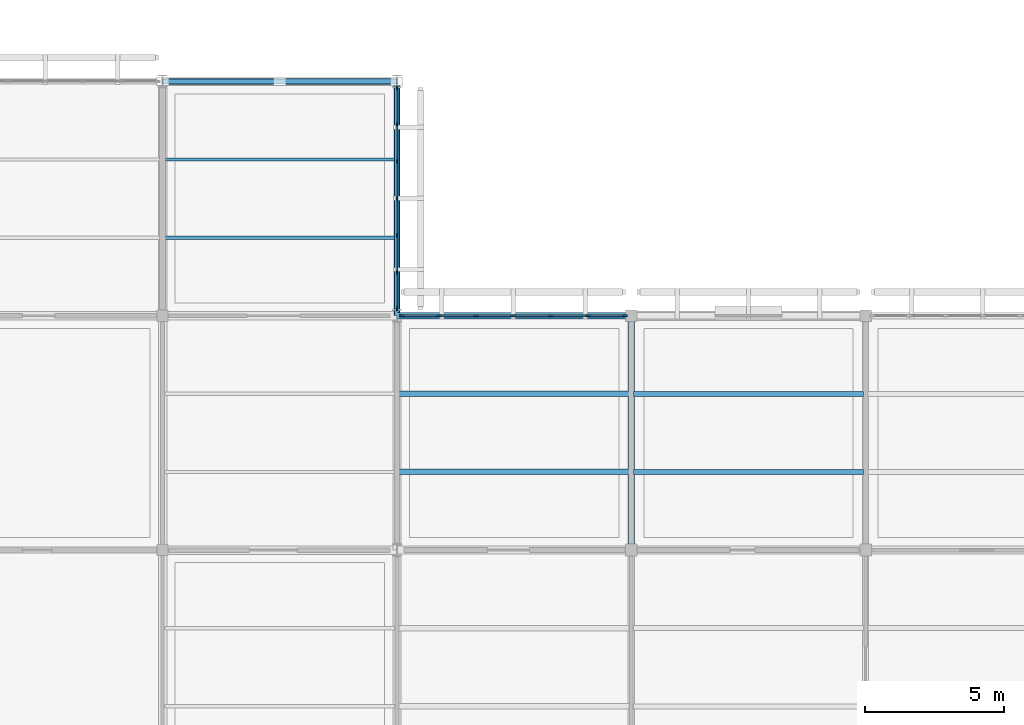
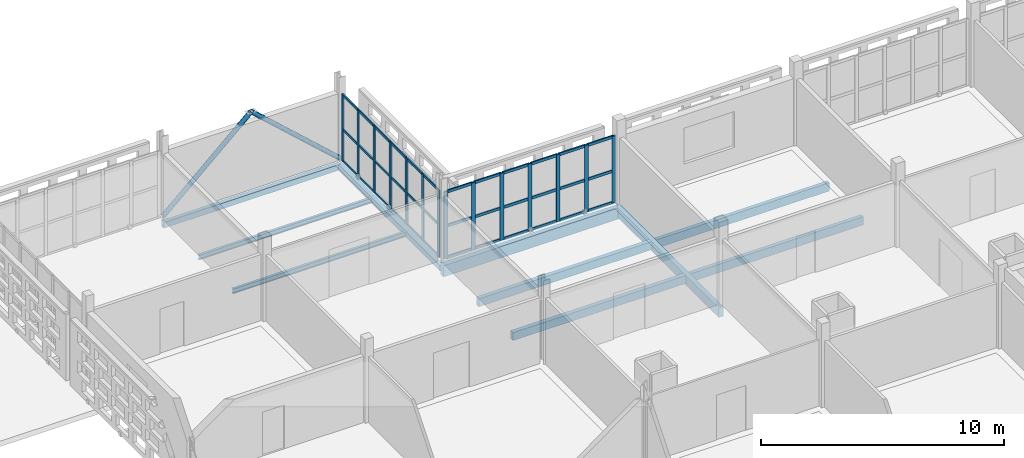
# One storey, part 72 of 166: 52 members, 10 beams, 2 elements without a shape of their own.
"""IFC4 building model written with IfcOpenShell, lengths in metres."""

from ifc_helpers import new_model, si_unit, direction, frame, origin, origin_2d, place, context, subcontext, project, spatial, rectangle, hollow_rectangle, hollow_circle, i_section, extrude, material, layer, layer_set, material_profile, profile_set, type_object, element, aggregate, save


model = new_model("IFC4")

# Units and contexts
model_context = context("Model", 3, precision=1e-05, world=origin(), true_north=direction((0.0, 1.0)))
body_context = subcontext(model_context, "Body", "Model", "MODEL_VIEW")
ifc_project = project(units=[si_unit("LENGTHUNIT", "METRE"), si_unit("AREAUNIT", "SQUARE_METRE"), si_unit("VOLUMEUNIT", "CUBIC_METRE"), si_unit("PLANEANGLEUNIT", "RADIAN"), si_unit("MASSUNIT", "GRAM", prefix="KILO")], contexts=[model_context])

# Site, building, storey
site_placement = place(None, origin())
site = spatial("IfcSite", under=ifc_project, at=site_placement, CompositionType="ELEMENT")
building_placement = place(site_placement, origin())
building = spatial("IfcBuilding", under=site, at=building_placement, Name="Varnapada Polytechnic", CompositionType="ELEMENT")
storey_placement = place(building_placement, frame((0.0, 0.0, 9.60009765625)))
storey = spatial("IfcBuildingStorey", under=building, at=storey_placement, Name="L02", CompositionType="ELEMENT", Elevation=9.60009765625)

# Beams
ifc_material_1 = material(Name="Glulam GL32h", Category="wood")
ifc_material_profile_1 = material_profile(ifc_material_1, rectangle(XDim=0.199951171875, YDim=0.39990234375, at=origin_2d()), Name="GL 200x400")
ifc_profile_set_1 = profile_set([ifc_material_profile_1], Name="Glulam GL32h")
beam_type_1 = type_object("IfcBeamType", Name="Library/laboratory glulam floor joist GJ-01 (GL 200x400)", PredefinedType="JOIST", material=ifc_profile_set_1)
for number, where, z_axis, x_axis, name in (
    (1, (134.47998046875, 112.0, -0.4501953125), (1.0, 0.0, 0.0), (0.0, 1.0, 0.0), "L02 floor joist 17/14.1"),
    (2, (134.47998046875, 114.800048828125, -0.4501953125), (1.0, 0.0, 0.0), (0.0, 1.0, 0.0), "L02 floor joist 17/14.2"),
):
    element("IfcBeam", number, at=place(storey_placement, frame(where, z_axis=z_axis, x_axis=x_axis)), inside=storey, type_object=beam_type_1, Name=name, PredefinedType="JOIST", context=body_context, shape_type="SweptSolid", body=[
        extrude(rectangle(XDim=0.199951171875, YDim=0.39990234375, at=origin_2d()), origin(), (0.0, 0.0, 1.0), 8.239990234375),
    ])

# Curtain wall, members
ifc_material_2 = material(Name="Double low-E laminated glass", Category="glass")
ifc_layer_1 = layer(ifc_material_2, 0.159912109375)
ifc_layer_set_1 = layer_set([ifc_layer_1], Name="Double low-E laminated glass")
curtain_wall_type_1 = type_object("IfcCurtainWallType", Name="Curtain Wall CW-02", PredefinedType="NOTDEFINED", material=ifc_layer_set_1)
curtain_wall_1_placement = place(storey_placement, origin())
curtain_wall_1 = element("IfcCurtainWall", 3, at=curtain_wall_1_placement, inside=storey, type_object=curtain_wall_type_1, Name="L02 unitised curtain wall CW-02 (181)", PredefinedType="NOTDEFINED")
ifc_material_3 = material(Name="Anodised aluminium", Category="aluminium")
ifc_material_profile_2 = material_profile(ifc_material_3, rectangle(XDim=0.06005859375, YDim=0.159912109375, at=origin_2d()), Name="ALU M60x160")
ifc_profile_set_2 = profile_set([ifc_material_profile_2], Name="Anodised aluminium")
member_type_1 = type_object("IfcMemberType", Name="Mullion M-01", PredefinedType="MULLION", material=ifc_profile_set_2)
member_1_placement = place(storey_placement, frame((134.39990234375, 125.75, 0.0), z_axis=(0.0, 0.0, 1.0), x_axis=(1.0, 0.0, 0.0)))
member_1 = element("IfcMember", 4, at=member_1_placement, type_object=member_type_1, Name="CW-02 mullion 1", PredefinedType="MULLION", context=body_context, shape_type="SweptSolid", body=[
    extrude(rectangle(XDim=0.06005859375, YDim=0.159912109375, at=origin_2d()), origin(), (0.0, 0.0, 1.0), 3.35986328125),
])
member_2_placement = place(storey_placement, frame((134.39990234375, 124.4541015625, 0.0), z_axis=(0.0, 0.0, 1.0), x_axis=(1.0, 0.0, 0.0)))
member_2 = element("IfcMember", 5, at=member_2_placement, type_object=member_type_1, Name="CW-02 mullion 2", PredefinedType="MULLION", context=body_context, shape_type="SweptSolid", body=[
    extrude(rectangle(XDim=0.06005859375, YDim=0.159912109375, at=origin_2d()), origin(), (0.0, 0.0, 1.0), 3.35986328125),
])
member_3_placement = place(storey_placement, frame((134.39990234375, 123.12841796875, 0.0), z_axis=(0.0, 0.0, 1.0), x_axis=(1.0, 0.0, 0.0)))
member_3 = element("IfcMember", 6, at=member_3_placement, type_object=member_type_1, Name="CW-02 mullion 3", PredefinedType="MULLION", context=body_context, shape_type="SweptSolid", body=[
    extrude(rectangle(XDim=0.06005859375, YDim=0.159912109375, at=origin_2d()), origin(), (0.0, 0.0, 1.0), 3.35986328125),
])
member_4_placement = place(storey_placement, frame((134.39990234375, 121.802490234375, 0.0), z_axis=(0.0, 0.0, 1.0), x_axis=(1.0, 0.0, 0.0)))
member_4 = element("IfcMember", 7, at=member_4_placement, type_object=member_type_1, Name="CW-02 mullion 4", PredefinedType="MULLION", context=body_context, shape_type="SweptSolid", body=[
    extrude(rectangle(XDim=0.06005859375, YDim=0.159912109375, at=origin_2d()), origin(), (0.0, 0.0, 1.0), 3.35986328125),
])
member_5_placement = place(storey_placement, frame((134.39990234375, 120.4765625, 0.0), z_axis=(0.0, 0.0, 1.0), x_axis=(1.0, 0.0, 0.0)))
member_5 = element("IfcMember", 8, at=member_5_placement, type_object=member_type_1, Name="CW-02 mullion 5", PredefinedType="MULLION", context=body_context, shape_type="SweptSolid", body=[
    extrude(rectangle(XDim=0.06005859375, YDim=0.159912109375, at=origin_2d()), origin(), (0.0, 0.0, 1.0), 3.35986328125),
])
member_6_placement = place(storey_placement, frame((134.39990234375, 119.15087890625, 0.0), z_axis=(0.0, 0.0, 1.0), x_axis=(1.0, 0.0, 0.0)))
member_6 = element("IfcMember", 9, at=member_6_placement, type_object=member_type_1, Name="CW-02 mullion 6", PredefinedType="MULLION", context=body_context, shape_type="SweptSolid", body=[
    extrude(rectangle(XDim=0.06005859375, YDim=0.159912109375, at=origin_2d()), origin(), (0.0, 0.0, 1.0), 3.35986328125),
])
member_7_placement = place(storey_placement, frame((134.39990234375, 117.85498046875, 0.0), z_axis=(0.0, 0.0, 1.0), x_axis=(1.0, 0.0, 0.0)))
member_7 = element("IfcMember", 10, at=member_7_placement, type_object=member_type_1, Name="CW-02 mullion 7", PredefinedType="MULLION", context=body_context, shape_type="SweptSolid", body=[
    extrude(rectangle(XDim=0.06005859375, YDim=0.159912109375, at=origin_2d()), origin(), (0.0, 0.0, 1.0), 3.35986328125),
])

ifc_layer_2 = layer(ifc_material_2, 0.179931640625)
ifc_layer_set_2 = layer_set([ifc_layer_2], Name="Double low-E laminated glass")
curtain_wall_type_2 = type_object("IfcCurtainWallType", Name="Curtain Wall CW-04", PredefinedType="NOTDEFINED", material=ifc_layer_set_2)
curtain_wall_2_placement = place(storey_placement, origin())
curtain_wall_2 = element("IfcCurtainWall", 11, at=curtain_wall_2_placement, inside=storey, type_object=curtain_wall_type_2, Name="L02 unitised curtain wall CW-04 (192)", PredefinedType="NOTDEFINED")
ifc_material_profile_3 = material_profile(ifc_material_3, rectangle(XDim=0.06494140625, YDim=0.179931640625, at=origin_2d()), Name="ALU M65x180")
ifc_profile_set_3 = profile_set([ifc_material_profile_3], Name="Anodised aluminium")
member_type_2 = type_object("IfcMemberType", Name="Mullion M-02", PredefinedType="MULLION", material=ifc_profile_set_3)
member_8_placement = place(storey_placement, frame((134.58251953125, 117.60009765625, 0.0), z_axis=(0.0, 0.0, 1.0), x_axis=(0.0, 1.0, 0.0)))
member_8 = element("IfcMember", 12, at=member_8_placement, type_object=member_type_2, Name="CW-04 mullion 1", PredefinedType="MULLION", context=body_context, shape_type="SweptSolid", body=[
    extrude(rectangle(XDim=0.06494140625, YDim=0.179931640625, at=origin_2d()), origin(), (0.0, 0.0, 1.0), 3.35986328125),
])
member_9_placement = place(storey_placement, frame((135.889892578125, 117.60009765625, 0.0), z_axis=(0.0, 0.0, 1.0), x_axis=(0.0, 1.0, 0.0)))
member_9 = element("IfcMember", 13, at=member_9_placement, type_object=member_type_2, Name="CW-04 mullion 2", PredefinedType="MULLION", context=body_context, shape_type="SweptSolid", body=[
    extrude(rectangle(XDim=0.06494140625, YDim=0.179931640625, at=origin_2d()), origin(), (0.0, 0.0, 1.0), 3.35986328125),
])
member_10_placement = place(storey_placement, frame((137.22998046875, 117.60009765625, 0.0), z_axis=(0.0, 0.0, 1.0), x_axis=(0.0, 1.0, 0.0)))
member_10 = element("IfcMember", 14, at=member_10_placement, type_object=member_type_2, Name="CW-04 mullion 3", PredefinedType="MULLION", context=body_context, shape_type="SweptSolid", body=[
    extrude(rectangle(XDim=0.06494140625, YDim=0.179931640625, at=origin_2d()), origin(), (0.0, 0.0, 1.0), 3.35986328125),
])
member_11_placement = place(storey_placement, frame((138.570068359375, 117.60009765625, 0.0), z_axis=(0.0, 0.0, 1.0), x_axis=(0.0, 1.0, 0.0)))
member_11 = element("IfcMember", 15, at=member_11_placement, type_object=member_type_2, Name="CW-04 mullion 4", PredefinedType="MULLION", context=body_context, shape_type="SweptSolid", body=[
    extrude(rectangle(XDim=0.06494140625, YDim=0.179931640625, at=origin_2d()), origin(), (0.0, 0.0, 1.0), 3.35986328125),
])
member_12_placement = place(storey_placement, frame((139.909912109375, 117.60009765625, 0.0), z_axis=(0.0, 0.0, 1.0), x_axis=(0.0, 1.0, 0.0)))
member_12 = element("IfcMember", 16, at=member_12_placement, type_object=member_type_2, Name="CW-04 mullion 5", PredefinedType="MULLION", context=body_context, shape_type="SweptSolid", body=[
    extrude(rectangle(XDim=0.06494140625, YDim=0.179931640625, at=origin_2d()), origin(), (0.0, 0.0, 1.0), 3.35986328125),
])
member_13_placement = place(storey_placement, frame((141.25, 117.60009765625, 0.0), z_axis=(0.0, 0.0, 1.0), x_axis=(0.0, 1.0, 0.0)))
member_13 = element("IfcMember", 17, at=member_13_placement, type_object=member_type_2, Name="CW-04 mullion 6", PredefinedType="MULLION", context=body_context, shape_type="SweptSolid", body=[
    extrude(rectangle(XDim=0.06494140625, YDim=0.179931640625, at=origin_2d()), origin(), (0.0, 0.0, 1.0), 3.35986328125),
])
member_14_placement = place(storey_placement, frame((142.5576171875, 117.60009765625, 0.0), z_axis=(0.0, 0.0, 1.0), x_axis=(0.0, 1.0, 0.0)))
member_14 = element("IfcMember", 18, at=member_14_placement, type_object=member_type_2, Name="CW-04 mullion 7", PredefinedType="MULLION", context=body_context, shape_type="SweptSolid", body=[
    extrude(rectangle(XDim=0.06494140625, YDim=0.179931640625, at=origin_2d()), origin(), (0.0, 0.0, 1.0), 3.35986328125),
])

# Beams
ifc_material_profile_4 = material_profile(ifc_material_1, rectangle(XDim=0.239990234375, YDim=0.56005859375, at=origin_2d()), Name="GL 240x560")
ifc_profile_set_4 = profile_set([ifc_material_profile_4], Name="Glulam GL32h")
beam_type_2 = type_object("IfcBeamType", Name="Perimeter glulam spandrel beam SP-02 (GL 240x560)", PredefinedType="SPANDREL", material=ifc_profile_set_4)
beam_1_placement = place(storey_placement, frame((134.39990234375, 117.60009765625, -0.530029296875), z_axis=(1.0, 0.0, 0.0), x_axis=(0.0, 1.0, 0.0)))
element("IfcBeam", 19, at=beam_1_placement, inside=storey, type_object=beam_type_2, Name="L02 beam X 17-18 at Y15", PredefinedType="SPANDREL", context=body_context, shape_type="SweptSolid", body=[
    extrude(rectangle(XDim=0.239990234375, YDim=0.56005859375, at=origin_2d()), origin(), (0.0, 0.0, 1.0), 8.400146484375),
])
ifc_material_profile_5 = material_profile(ifc_material_1, rectangle(XDim=0.179931640625, YDim=0.419921875, at=origin_2d()), Name="GL 180x420")
ifc_profile_set_5 = profile_set([ifc_material_profile_5], Name="Glulam GL32h")
beam_type_3 = type_object("IfcBeamType", Name="Reading hall glulam joist GJ-04 (GL 180x420)", PredefinedType="JOIST", material=ifc_profile_set_5)
for number, where, z_axis, x_axis, name in (
    (20, (142.8798828125, 112.0, -0.460205078125), (1.0, 0.0, 0.0), (0.0, 1.0, 0.0), "L02 floor joist 18/14.1"),
    (21, (142.8798828125, 114.800048828125, -0.460205078125), (1.0, 0.0, 0.0), (0.0, 1.0, 0.0), "L02 floor joist 18/14.2"),
):
    element("IfcBeam", number, at=place(storey_placement, frame(where, z_axis=z_axis, x_axis=x_axis)), inside=storey, type_object=beam_type_3, Name=name, PredefinedType="JOIST", context=body_context, shape_type="SweptSolid", body=[
        extrude(rectangle(XDim=0.179931640625, YDim=0.419921875, at=origin_2d()), origin(), (0.0, 0.0, 1.0), 8.240234375),
    ])

# Member
ifc_material_profile_6 = material_profile(ifc_material_3, rectangle(XDim=0.06005859375, YDim=0.1201171875, at=origin_2d()), Name="ALU T60x120")
ifc_profile_set_6 = profile_set([ifc_material_profile_6], Name="Anodised aluminium")
member_type_3 = type_object("IfcMemberType", Name="Transom T-01", PredefinedType="USERDEFINED", material=ifc_profile_set_6)
member_15_placement = place(storey_placement, frame((134.39990234375, 125.719970703125, 0.02978515625), z_axis=(0.0, -1.0, 0.0), x_axis=(1.0, 0.0, 0.0)))
member_15 = element("IfcMember", 22, at=member_15_placement, type_object=member_type_3, Name="CW-02 transom 1.1", ObjectType="TRANSOM", PredefinedType="USERDEFINED", context=body_context, shape_type="SweptSolid", body=[
    extrude(rectangle(XDim=0.06005859375, YDim=0.1201171875, at=origin_2d()), origin(), (0.0, 0.0, 1.0), 1.23583984375),
])

member_16_placement = place(storey_placement, frame((134.39990234375, 125.719970703125, 1.61279296875), z_axis=(0.0, -1.0, 0.0), x_axis=(1.0, 0.0, 0.0)))
member_16 = element("IfcMember", 23, at=member_16_placement, type_object=member_type_3, Name="CW-02 transom 1.2", ObjectType="TRANSOM", PredefinedType="USERDEFINED", context=body_context, shape_type="SweptSolid", body=[
    extrude(rectangle(XDim=0.06005859375, YDim=0.1201171875, at=origin_2d()), origin(), (0.0, 0.0, 1.0), 1.23583984375),
])

member_17_placement = place(storey_placement, frame((134.39990234375, 125.719970703125, 3.329833984375), z_axis=(0.0, -1.0, 0.0), x_axis=(1.0, 0.0, 0.0)))
member_17 = element("IfcMember", 24, at=member_17_placement, type_object=member_type_3, Name="CW-02 transom 1.3", ObjectType="TRANSOM", PredefinedType="USERDEFINED", context=body_context, shape_type="SweptSolid", body=[
    extrude(rectangle(XDim=0.06005859375, YDim=0.1201171875, at=origin_2d()), origin(), (0.0, 0.0, 1.0), 1.23583984375),
])

member_18_placement = place(storey_placement, frame((134.39990234375, 124.424072265625, 0.02978515625), z_axis=(0.0, -1.0, 0.0), x_axis=(1.0, 0.0, 0.0)))
member_18 = element("IfcMember", 25, at=member_18_placement, type_object=member_type_3, Name="CW-02 transom 2.1", ObjectType="TRANSOM", PredefinedType="USERDEFINED", context=body_context, shape_type="SweptSolid", body=[
    extrude(rectangle(XDim=0.06005859375, YDim=0.1201171875, at=origin_2d()), origin(), (0.0, 0.0, 1.0), 1.265625),
])

member_19_placement = place(storey_placement, frame((134.39990234375, 124.424072265625, 1.61279296875), z_axis=(0.0, -1.0, 0.0), x_axis=(1.0, 0.0, 0.0)))
member_19 = element("IfcMember", 26, at=member_19_placement, type_object=member_type_3, Name="CW-02 transom 2.2", ObjectType="TRANSOM", PredefinedType="USERDEFINED", context=body_context, shape_type="SweptSolid", body=[
    extrude(rectangle(XDim=0.06005859375, YDim=0.1201171875, at=origin_2d()), origin(), (0.0, 0.0, 1.0), 1.265625),
])

member_20_placement = place(storey_placement, frame((134.39990234375, 124.424072265625, 3.329833984375), z_axis=(0.0, -1.0, 0.0), x_axis=(1.0, 0.0, 0.0)))
member_20 = element("IfcMember", 27, at=member_20_placement, type_object=member_type_3, Name="CW-02 transom 2.3", ObjectType="TRANSOM", PredefinedType="USERDEFINED", context=body_context, shape_type="SweptSolid", body=[
    extrude(rectangle(XDim=0.06005859375, YDim=0.1201171875, at=origin_2d()), origin(), (0.0, 0.0, 1.0), 1.265625),
])

member_21_placement = place(storey_placement, frame((134.39990234375, 123.098388671875, 0.02978515625), z_axis=(0.0, -1.0, 0.0), x_axis=(1.0, 0.0, 0.0)))
member_21 = element("IfcMember", 28, at=member_21_placement, type_object=member_type_3, Name="CW-02 transom 3.1", ObjectType="TRANSOM", PredefinedType="USERDEFINED", context=body_context, shape_type="SweptSolid", body=[
    extrude(rectangle(XDim=0.06005859375, YDim=0.1201171875, at=origin_2d()), origin(), (0.0, 0.0, 1.0), 1.265869140625),
])

member_22_placement = place(storey_placement, frame((134.39990234375, 123.098388671875, 1.61279296875), z_axis=(0.0, -1.0, 0.0), x_axis=(1.0, 0.0, 0.0)))
member_22 = element("IfcMember", 29, at=member_22_placement, type_object=member_type_3, Name="CW-02 transom 3.2", ObjectType="TRANSOM", PredefinedType="USERDEFINED", context=body_context, shape_type="SweptSolid", body=[
    extrude(rectangle(XDim=0.06005859375, YDim=0.1201171875, at=origin_2d()), origin(), (0.0, 0.0, 1.0), 1.265869140625),
])

member_23_placement = place(storey_placement, frame((134.39990234375, 123.098388671875, 3.329833984375), z_axis=(0.0, -1.0, 0.0), x_axis=(1.0, 0.0, 0.0)))
member_23 = element("IfcMember", 30, at=member_23_placement, type_object=member_type_3, Name="CW-02 transom 3.3", ObjectType="TRANSOM", PredefinedType="USERDEFINED", context=body_context, shape_type="SweptSolid", body=[
    extrude(rectangle(XDim=0.06005859375, YDim=0.1201171875, at=origin_2d()), origin(), (0.0, 0.0, 1.0), 1.265869140625),
])

member_24_placement = place(storey_placement, frame((134.39990234375, 121.7724609375, 0.02978515625), z_axis=(0.0, -1.0, 0.0), x_axis=(1.0, 0.0, 0.0)))
member_24 = element("IfcMember", 31, at=member_24_placement, type_object=member_type_3, Name="CW-02 transom 4.1", ObjectType="TRANSOM", PredefinedType="USERDEFINED", context=body_context, shape_type="SweptSolid", body=[
    extrude(rectangle(XDim=0.06005859375, YDim=0.1201171875, at=origin_2d()), origin(), (0.0, 0.0, 1.0), 1.265869140625),
])

member_25_placement = place(storey_placement, frame((134.39990234375, 121.7724609375, 1.61279296875), z_axis=(0.0, -1.0, 0.0), x_axis=(1.0, 0.0, 0.0)))
member_25 = element("IfcMember", 32, at=member_25_placement, type_object=member_type_3, Name="CW-02 transom 4.2", ObjectType="TRANSOM", PredefinedType="USERDEFINED", context=body_context, shape_type="SweptSolid", body=[
    extrude(rectangle(XDim=0.06005859375, YDim=0.1201171875, at=origin_2d()), origin(), (0.0, 0.0, 1.0), 1.265869140625),
])

member_26_placement = place(storey_placement, frame((134.39990234375, 121.7724609375, 3.329833984375), z_axis=(0.0, -1.0, 0.0), x_axis=(1.0, 0.0, 0.0)))
member_26 = element("IfcMember", 33, at=member_26_placement, type_object=member_type_3, Name="CW-02 transom 4.3", ObjectType="TRANSOM", PredefinedType="USERDEFINED", context=body_context, shape_type="SweptSolid", body=[
    extrude(rectangle(XDim=0.06005859375, YDim=0.1201171875, at=origin_2d()), origin(), (0.0, 0.0, 1.0), 1.265869140625),
])

member_27_placement = place(storey_placement, frame((134.39990234375, 120.44677734375, 0.02978515625), z_axis=(0.0, -1.0, 0.0), x_axis=(1.0, 0.0, 0.0)))
member_27 = element("IfcMember", 34, at=member_27_placement, type_object=member_type_3, Name="CW-02 transom 5.1", ObjectType="TRANSOM", PredefinedType="USERDEFINED", context=body_context, shape_type="SweptSolid", body=[
    extrude(rectangle(XDim=0.06005859375, YDim=0.1201171875, at=origin_2d()), origin(), (0.0, 0.0, 1.0), 1.265869140625),
])

member_28_placement = place(storey_placement, frame((134.39990234375, 120.44677734375, 1.61279296875), z_axis=(0.0, -1.0, 0.0), x_axis=(1.0, 0.0, 0.0)))
member_28 = element("IfcMember", 35, at=member_28_placement, type_object=member_type_3, Name="CW-02 transom 5.2", ObjectType="TRANSOM", PredefinedType="USERDEFINED", context=body_context, shape_type="SweptSolid", body=[
    extrude(rectangle(XDim=0.06005859375, YDim=0.1201171875, at=origin_2d()), origin(), (0.0, 0.0, 1.0), 1.265869140625),
])

member_29_placement = place(storey_placement, frame((134.39990234375, 120.44677734375, 3.329833984375), z_axis=(0.0, -1.0, 0.0), x_axis=(1.0, 0.0, 0.0)))
member_29 = element("IfcMember", 36, at=member_29_placement, type_object=member_type_3, Name="CW-02 transom 5.3", ObjectType="TRANSOM", PredefinedType="USERDEFINED", context=body_context, shape_type="SweptSolid", body=[
    extrude(rectangle(XDim=0.06005859375, YDim=0.1201171875, at=origin_2d()), origin(), (0.0, 0.0, 1.0), 1.265869140625),
])

member_30_placement = place(storey_placement, frame((134.39990234375, 119.120849609375, 0.02978515625), z_axis=(0.0, -1.0, 0.0), x_axis=(1.0, 0.0, 0.0)))
member_30 = element("IfcMember", 37, at=member_30_placement, type_object=member_type_3, Name="CW-02 transom 6.1", ObjectType="TRANSOM", PredefinedType="USERDEFINED", context=body_context, shape_type="SweptSolid", body=[
    extrude(rectangle(XDim=0.06005859375, YDim=0.1201171875, at=origin_2d()), origin(), (0.0, 0.0, 1.0), 1.23583984375),
])

member_31_placement = place(storey_placement, frame((134.39990234375, 119.120849609375, 1.61279296875), z_axis=(0.0, -1.0, 0.0), x_axis=(1.0, 0.0, 0.0)))
member_31 = element("IfcMember", 38, at=member_31_placement, type_object=member_type_3, Name="CW-02 transom 6.2", ObjectType="TRANSOM", PredefinedType="USERDEFINED", context=body_context, shape_type="SweptSolid", body=[
    extrude(rectangle(XDim=0.06005859375, YDim=0.1201171875, at=origin_2d()), origin(), (0.0, 0.0, 1.0), 1.23583984375),
])

member_32_placement = place(storey_placement, frame((134.39990234375, 119.120849609375, 3.329833984375), z_axis=(0.0, -1.0, 0.0), x_axis=(1.0, 0.0, 0.0)))
member_32 = element("IfcMember", 39, at=member_32_placement, type_object=member_type_3, Name="CW-02 transom 6.3", ObjectType="TRANSOM", PredefinedType="USERDEFINED", context=body_context, shape_type="SweptSolid", body=[
    extrude(rectangle(XDim=0.06005859375, YDim=0.1201171875, at=origin_2d()), origin(), (0.0, 0.0, 1.0), 1.23583984375),
])

aggregate(curtain_wall_1, [member_1, member_2, member_3, member_4, member_5, member_6, member_7, member_15, member_16, member_17, member_18, member_19, member_20, member_21, member_22, member_23, member_24, member_25, member_26, member_27, member_28, member_29, member_30, member_31, member_32])

ifc_material_profile_7 = material_profile(ifc_material_3, rectangle(XDim=0.06494140625, YDim=0.139892578125, at=origin_2d()), Name="ALU T65x140")
ifc_profile_set_7 = profile_set([ifc_material_profile_7], Name="Anodised aluminium")
member_type_4 = type_object("IfcMemberType", Name="Transom T-02", PredefinedType="USERDEFINED", material=ifc_profile_set_7)
member_33_placement = place(storey_placement, frame((134.614990234375, 117.60009765625, 0.032470703125), z_axis=(1.0, 0.0, 0.0), x_axis=(0.0, 1.0, 0.0)))
member_33 = element("IfcMember", 40, at=member_33_placement, type_object=member_type_4, Name="CW-04 transom 1.1", ObjectType="TRANSOM", PredefinedType="USERDEFINED", context=body_context, shape_type="SweptSolid", body=[
    extrude(rectangle(XDim=0.06494140625, YDim=0.139892578125, at=origin_2d()), origin(), (0.0, 0.0, 1.0), 1.242431640625),
])

member_34_placement = place(storey_placement, frame((134.614990234375, 117.60009765625, 1.61279296875), z_axis=(1.0, 0.0, 0.0), x_axis=(0.0, 1.0, 0.0)))
member_34 = element("IfcMember", 41, at=member_34_placement, type_object=member_type_4, Name="CW-04 transom 1.2", ObjectType="TRANSOM", PredefinedType="USERDEFINED", context=body_context, shape_type="SweptSolid", body=[
    extrude(rectangle(XDim=0.06494140625, YDim=0.139892578125, at=origin_2d()), origin(), (0.0, 0.0, 1.0), 1.242431640625),
])

member_35_placement = place(storey_placement, frame((134.614990234375, 117.60009765625, 3.327392578125), z_axis=(1.0, 0.0, 0.0), x_axis=(0.0, 1.0, 0.0)))
member_35 = element("IfcMember", 42, at=member_35_placement, type_object=member_type_4, Name="CW-04 transom 1.3", ObjectType="TRANSOM", PredefinedType="USERDEFINED", context=body_context, shape_type="SweptSolid", body=[
    extrude(rectangle(XDim=0.06494140625, YDim=0.139892578125, at=origin_2d()), origin(), (0.0, 0.0, 1.0), 1.242431640625),
])

member_36_placement = place(storey_placement, frame((135.922607421875, 117.60009765625, 0.032470703125), z_axis=(1.0, 0.0, 0.0), x_axis=(0.0, 1.0, 0.0)))
member_36 = element("IfcMember", 43, at=member_36_placement, type_object=member_type_4, Name="CW-04 transom 2.1", ObjectType="TRANSOM", PredefinedType="USERDEFINED", context=body_context, shape_type="SweptSolid", body=[
    extrude(rectangle(XDim=0.06494140625, YDim=0.139892578125, at=origin_2d()), origin(), (0.0, 0.0, 1.0), 1.27490234375),
])

member_37_placement = place(storey_placement, frame((135.922607421875, 117.60009765625, 1.61279296875), z_axis=(1.0, 0.0, 0.0), x_axis=(0.0, 1.0, 0.0)))
member_37 = element("IfcMember", 44, at=member_37_placement, type_object=member_type_4, Name="CW-04 transom 2.2", ObjectType="TRANSOM", PredefinedType="USERDEFINED", context=body_context, shape_type="SweptSolid", body=[
    extrude(rectangle(XDim=0.06494140625, YDim=0.139892578125, at=origin_2d()), origin(), (0.0, 0.0, 1.0), 1.27490234375),
])

member_38_placement = place(storey_placement, frame((135.922607421875, 117.60009765625, 3.327392578125), z_axis=(1.0, 0.0, 0.0), x_axis=(0.0, 1.0, 0.0)))
member_38 = element("IfcMember", 45, at=member_38_placement, type_object=member_type_4, Name="CW-04 transom 2.3", ObjectType="TRANSOM", PredefinedType="USERDEFINED", context=body_context, shape_type="SweptSolid", body=[
    extrude(rectangle(XDim=0.06494140625, YDim=0.139892578125, at=origin_2d()), origin(), (0.0, 0.0, 1.0), 1.27490234375),
])

member_39_placement = place(storey_placement, frame((137.262451171875, 117.60009765625, 0.032470703125), z_axis=(1.0, 0.0, 0.0), x_axis=(0.0, 1.0, 0.0)))
member_39 = element("IfcMember", 46, at=member_39_placement, type_object=member_type_4, Name="CW-04 transom 3.1", ObjectType="TRANSOM", PredefinedType="USERDEFINED", context=body_context, shape_type="SweptSolid", body=[
    extrude(rectangle(XDim=0.06494140625, YDim=0.139892578125, at=origin_2d()), origin(), (0.0, 0.0, 1.0), 1.275146484375),
])

member_40_placement = place(storey_placement, frame((137.262451171875, 117.60009765625, 1.61279296875), z_axis=(1.0, 0.0, 0.0), x_axis=(0.0, 1.0, 0.0)))
member_40 = element("IfcMember", 47, at=member_40_placement, type_object=member_type_4, Name="CW-04 transom 3.2", ObjectType="TRANSOM", PredefinedType="USERDEFINED", context=body_context, shape_type="SweptSolid", body=[
    extrude(rectangle(XDim=0.06494140625, YDim=0.139892578125, at=origin_2d()), origin(), (0.0, 0.0, 1.0), 1.275146484375),
])

member_41_placement = place(storey_placement, frame((137.262451171875, 117.60009765625, 3.327392578125), z_axis=(1.0, 0.0, 0.0), x_axis=(0.0, 1.0, 0.0)))
member_41 = element("IfcMember", 48, at=member_41_placement, type_object=member_type_4, Name="CW-04 transom 3.3", ObjectType="TRANSOM", PredefinedType="USERDEFINED", context=body_context, shape_type="SweptSolid", body=[
    extrude(rectangle(XDim=0.06494140625, YDim=0.139892578125, at=origin_2d()), origin(), (0.0, 0.0, 1.0), 1.275146484375),
])

member_42_placement = place(storey_placement, frame((138.6025390625, 117.60009765625, 0.032470703125), z_axis=(1.0, 0.0, 0.0), x_axis=(0.0, 1.0, 0.0)))
member_42 = element("IfcMember", 49, at=member_42_placement, type_object=member_type_4, Name="CW-04 transom 4.1", ObjectType="TRANSOM", PredefinedType="USERDEFINED", context=body_context, shape_type="SweptSolid", body=[
    extrude(rectangle(XDim=0.06494140625, YDim=0.139892578125, at=origin_2d()), origin(), (0.0, 0.0, 1.0), 1.27490234375),
])

member_43_placement = place(storey_placement, frame((138.6025390625, 117.60009765625, 1.61279296875), z_axis=(1.0, 0.0, 0.0), x_axis=(0.0, 1.0, 0.0)))
member_43 = element("IfcMember", 50, at=member_43_placement, type_object=member_type_4, Name="CW-04 transom 4.2", ObjectType="TRANSOM", PredefinedType="USERDEFINED", context=body_context, shape_type="SweptSolid", body=[
    extrude(rectangle(XDim=0.06494140625, YDim=0.139892578125, at=origin_2d()), origin(), (0.0, 0.0, 1.0), 1.27490234375),
])

member_44_placement = place(storey_placement, frame((138.6025390625, 117.60009765625, 3.327392578125), z_axis=(1.0, 0.0, 0.0), x_axis=(0.0, 1.0, 0.0)))
member_44 = element("IfcMember", 51, at=member_44_placement, type_object=member_type_4, Name="CW-04 transom 4.3", ObjectType="TRANSOM", PredefinedType="USERDEFINED", context=body_context, shape_type="SweptSolid", body=[
    extrude(rectangle(XDim=0.06494140625, YDim=0.139892578125, at=origin_2d()), origin(), (0.0, 0.0, 1.0), 1.27490234375),
])

member_45_placement = place(storey_placement, frame((139.9423828125, 117.60009765625, 0.032470703125), z_axis=(1.0, 0.0, 0.0), x_axis=(0.0, 1.0, 0.0)))
member_45 = element("IfcMember", 52, at=member_45_placement, type_object=member_type_4, Name="CW-04 transom 5.1", ObjectType="TRANSOM", PredefinedType="USERDEFINED", context=body_context, shape_type="SweptSolid", body=[
    extrude(rectangle(XDim=0.06494140625, YDim=0.139892578125, at=origin_2d()), origin(), (0.0, 0.0, 1.0), 1.275146484375),
])

member_46_placement = place(storey_placement, frame((139.9423828125, 117.60009765625, 1.61279296875), z_axis=(1.0, 0.0, 0.0), x_axis=(0.0, 1.0, 0.0)))
member_46 = element("IfcMember", 53, at=member_46_placement, type_object=member_type_4, Name="CW-04 transom 5.2", ObjectType="TRANSOM", PredefinedType="USERDEFINED", context=body_context, shape_type="SweptSolid", body=[
    extrude(rectangle(XDim=0.06494140625, YDim=0.139892578125, at=origin_2d()), origin(), (0.0, 0.0, 1.0), 1.275146484375),
])

member_47_placement = place(storey_placement, frame((139.9423828125, 117.60009765625, 3.327392578125), z_axis=(1.0, 0.0, 0.0), x_axis=(0.0, 1.0, 0.0)))
member_47 = element("IfcMember", 54, at=member_47_placement, type_object=member_type_4, Name="CW-04 transom 5.3", ObjectType="TRANSOM", PredefinedType="USERDEFINED", context=body_context, shape_type="SweptSolid", body=[
    extrude(rectangle(XDim=0.06494140625, YDim=0.139892578125, at=origin_2d()), origin(), (0.0, 0.0, 1.0), 1.275146484375),
])

member_48_placement = place(storey_placement, frame((141.282470703125, 117.60009765625, 0.032470703125), z_axis=(1.0, 0.0, 0.0), x_axis=(0.0, 1.0, 0.0)))
member_48 = element("IfcMember", 55, at=member_48_placement, type_object=member_type_4, Name="CW-04 transom 6.1", ObjectType="TRANSOM", PredefinedType="USERDEFINED", context=body_context, shape_type="SweptSolid", body=[
    extrude(rectangle(XDim=0.06494140625, YDim=0.139892578125, at=origin_2d()), origin(), (0.0, 0.0, 1.0), 1.242431640625),
])

member_49_placement = place(storey_placement, frame((141.282470703125, 117.60009765625, 1.61279296875), z_axis=(1.0, 0.0, 0.0), x_axis=(0.0, 1.0, 0.0)))
member_49 = element("IfcMember", 56, at=member_49_placement, type_object=member_type_4, Name="CW-04 transom 6.2", ObjectType="TRANSOM", PredefinedType="USERDEFINED", context=body_context, shape_type="SweptSolid", body=[
    extrude(rectangle(XDim=0.06494140625, YDim=0.139892578125, at=origin_2d()), origin(), (0.0, 0.0, 1.0), 1.242431640625),
])

member_50_placement = place(storey_placement, frame((141.282470703125, 117.60009765625, 3.327392578125), z_axis=(1.0, 0.0, 0.0), x_axis=(0.0, 1.0, 0.0)))
member_50 = element("IfcMember", 57, at=member_50_placement, type_object=member_type_4, Name="CW-04 transom 6.3", ObjectType="TRANSOM", PredefinedType="USERDEFINED", context=body_context, shape_type="SweptSolid", body=[
    extrude(rectangle(XDim=0.06494140625, YDim=0.139892578125, at=origin_2d()), origin(), (0.0, 0.0, 1.0), 1.242431640625),
])

aggregate(curtain_wall_2, [member_8, member_9, member_10, member_11, member_12, member_13, member_14, member_33, member_34, member_35, member_36, member_37, member_38, member_39, member_40, member_41, member_42, member_43, member_44, member_45, member_46, member_47, member_48, member_49, member_50])

# Beams
ifc_material_profile_8 = material_profile(ifc_material_1, rectangle(XDim=0.219970703125, YDim=0.47998046875, at=origin_2d()), Name="GL 220x480")
ifc_profile_set_8 = profile_set([ifc_material_profile_8], Name="Glulam GL32h")
beam_type_4 = type_object("IfcBeamType", Name="Upper floor glulam tie beam GB-11 (GL 220x480)", PredefinedType="BEAM", material=ifc_profile_set_8)
beam_2_placement = place(storey_placement, frame((142.800048828125, 109.199951171875, -0.489990234375), z_axis=(0.0, 1.0, 0.0), x_axis=(-1.0, 0.0, 0.0)))
element("IfcBeam", 58, at=beam_2_placement, inside=storey, type_object=beam_type_4, Name="L02 beam Y 14-15 at X18", PredefinedType="BEAM", context=body_context, shape_type="SweptSolid", body=[
    extrude(rectangle(XDim=0.219970703125, YDim=0.47998046875, at=origin_2d()), origin(), (0.0, 0.0, 1.0), 8.400146484375),
])
ifc_material_4 = material(Name="Steel S355", Category="steel")
ifc_material_profile_9 = material_profile(ifc_material_4, i_section(OverallWidth=0.1201171875, OverallDepth=0.239990234375, WebThickness=0.006103515625, FlangeThickness=0.009765625, FilletRadius=0.014892578125, at=origin_2d()), Name="IPE 240")
ifc_profile_set_9 = profile_set([ifc_material_profile_9], Name="Steel S355")
beam_type_5 = type_object("IfcBeamType", Name="Workshop gallery composite joist SJ-01 (IPE 240)", PredefinedType="JOIST", material=ifc_profile_set_9)
for number, where, z_axis, x_axis, name in (
    (59, (126.080078125, 120.39990234375, -0.360107421875), (1.0, 0.0, 0.0), (0.0, 1.0, 0.0), "L02 floor joist 16/15.1"),
    (60, (126.080078125, 123.199951171875, -0.360107421875), (1.0, 0.0, 0.0), (0.0, 1.0, 0.0), "L02 floor joist 16/15.2"),
):
    element("IfcBeam", number, at=place(storey_placement, frame(where, z_axis=z_axis, x_axis=x_axis)), inside=storey, type_object=beam_type_5, Name=name, PredefinedType="JOIST", context=body_context, shape_type="SweptSolid", body=[
        extrude(i_section(OverallWidth=0.1201171875, OverallDepth=0.239990234375, WebThickness=0.006103515625, FlangeThickness=0.009765625, FilletRadius=0.014892578125, at=origin_2d()), origin(), (0.0, 0.0, 1.0), 8.239990234375),
    ])

# Members
ifc_material_profile_10 = material_profile(ifc_material_4, hollow_circle(Radius=0.109619140625, WallThickness=0.008056640625, at=origin_2d()), Name="CHS 219.1x8.0")
ifc_profile_set_10 = profile_set([ifc_material_profile_10], Name="Steel S355")
member_type_5 = type_object("IfcMemberType", Name="Workshop hall lateral K/X wall brace BR-01 (CHS 219.1x8.0)", PredefinedType="BRACE", material=ifc_profile_set_10)
for number, where, z_axis, x_axis, name in (
    (61, (126.0, 126.0, 0.0), (0.741549054705, 0.0, 0.670898650667), (0.0, 1.0, 0.0), "L02 lateral chevron brace 6A"),
    (62, (134.39990234375, 126.0, 0.0), (-0.741549054705, 0.0, 0.670898650667), (0.0, -1.0, 0.0), "L02 lateral chevron brace 6B"),
):
    element("IfcMember", number, at=place(storey_placement, frame(where, z_axis=z_axis, x_axis=x_axis)), inside=storey, type_object=member_type_5, Name=name, PredefinedType="BRACE", context=body_context, shape_type="SweptSolid", body=[
        extrude(hollow_circle(Radius=0.109619140625, WallThickness=0.008056640625, at=origin_2d()), origin(), (0.0, 0.0, 1.0), 5.663818359375),
    ])

# Beams
ifc_material_profile_11 = material_profile(ifc_material_4, hollow_rectangle(XDim=0.199951171875, YDim=0.300048828125, WallThickness=0.010009765625, InnerFilletRadius=0.010009765625, OuterFilletRadius=0.02001953125, at=origin_2d()), Name="RHS 300x200x10")
ifc_profile_set_11 = profile_set([ifc_material_profile_11], Name="Steel S355")
beam_type_6 = type_object("IfcBeamType", Name="Workshop steel spandrel tie SP-03 (RHS 300x200x10)", PredefinedType="SPANDREL", material=ifc_profile_set_11)
for number, where, z_axis, x_axis, name in (
    (63, (126.0, 126.0, -0.39013671875), (1.0, 0.0, 0.0), (0.0, 1.0, 0.0), "L02 beam X 16-17 at Y16"),
    (64, (134.39990234375, 117.60009765625, -0.400146484375), (0.0, 1.0, 0.0), (-1.0, 0.0, 0.0), "L02 beam Y 15-16 at X17"),
):
    element("IfcBeam", number, at=place(storey_placement, frame(where, z_axis=z_axis, x_axis=x_axis)), inside=storey, type_object=beam_type_6, Name=name, PredefinedType="SPANDREL", context=body_context, shape_type="SweptSolid", body=[
        extrude(hollow_rectangle(XDim=0.199951171875, YDim=0.300048828125, WallThickness=0.010009765625, InnerFilletRadius=0.010009765625, OuterFilletRadius=0.02001953125, at=origin_2d()), origin(), (0.0, 0.0, 1.0), 8.39990234375),
    ])

save(model, "model.ifc")
